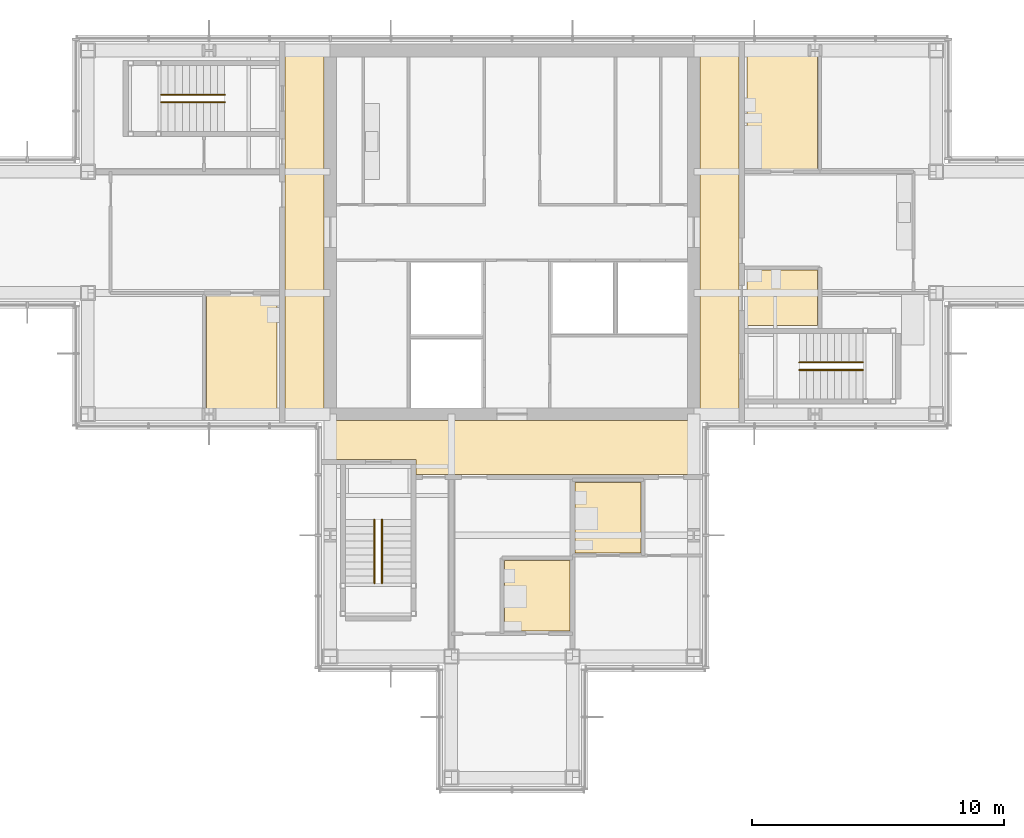
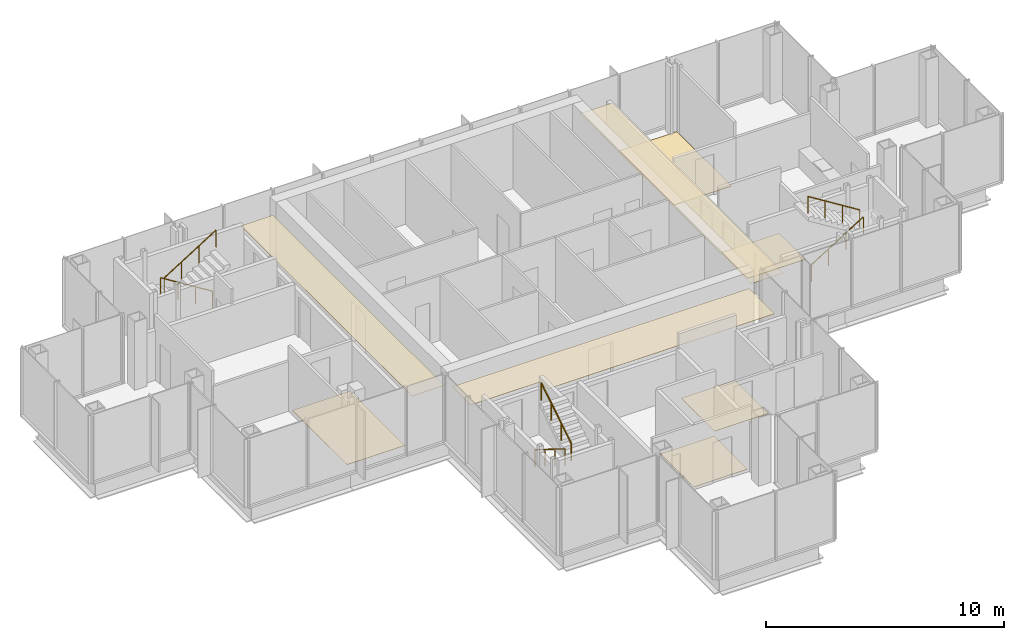
# One storey, part 13 of 15: 8 coverings, 6 railings.
"""IFC4 building model written with IfcOpenShell, lengths in metres."""

from ifc_helpers import new_model, si_unit, direction, frame, origin, origin_2d, place, context, subcontext, project, spatial, polyline, circle, outline, extrude, material, layer, layer_set, type_object, element, save


model = new_model("IFC4")

# Units and contexts
model_context = context("Model", 3, precision=1e-05, world=origin(), true_north=direction((0.0, 1.0)))
body_context = subcontext(model_context, "Body", "Model", "MODEL_VIEW")
ifc_project = project(units=[si_unit("LENGTHUNIT", "METRE"), si_unit("AREAUNIT", "SQUARE_METRE"), si_unit("VOLUMEUNIT", "CUBIC_METRE"), si_unit("PLANEANGLEUNIT", "RADIAN"), si_unit("MASSUNIT", "GRAM", prefix="KILO")], contexts=[model_context])

# Site, building, storey
site_placement = place(None, origin())
site = spatial("IfcSite", under=ifc_project, at=site_placement, CompositionType="ELEMENT")
building_placement = place(site_placement, origin())
building = spatial("IfcBuilding", under=site, at=building_placement, Name="Kvirike Care Tower", CompositionType="ELEMENT")
storey_placement = place(building_placement, frame((0.0, 0.0, 236.5)))
storey = spatial("IfcBuildingStorey", under=building, at=storey_placement, Name="L65", CompositionType="ELEMENT", Elevation=236.5)

# Coverings
ifc_material_1 = material(Name="Perforated metal ceiling tile", Category="aluminium")
ifc_layer_1 = layer(ifc_material_1, 0.014892578125)
ifc_layer_set_1 = layer_set([ifc_layer_1], Name="CORRIDOR CEILING 15")
covering_type_1 = type_object("IfcCoveringType", Name="CORRIDOR CEILING 15", PredefinedType="CEILING", material=ifc_layer_set_1)
covering_1_placement = place(storey_placement, frame((0.0, 0.0, 2.5)))
element("IfcCovering", 1, at=covering_1_placement, inside=storey, type_object=covering_type_1, Name="Corridor ceiling L65", PredefinedType="CEILING", context=body_context, shape_type="SweptSolid", body=[
    extrude(outline(polyline([(12.60009765625, 43.199951171875), (14.14990234375, 43.199951171875), (14.14990234375, 28.800048828125), (12.60009765625, 28.800048828125), (12.60009765625, 43.199951171875)])), origin(), (0.0, 0.0, 1.0), 0.014892578125),
])
covering_2_placement = place(storey_placement, frame((0.0, 0.0, 2.5)))
element("IfcCovering", 2, at=covering_2_placement, inside=storey, type_object=covering_type_1, Name="Corridor ceiling L65", PredefinedType="CEILING", context=body_context, shape_type="SweptSolid", body=[
    extrude(outline(polyline([(14.39990234375, 28.550048828125), (28.800048828125, 28.550048828125), (28.800048828125, 26.39990234375), (17.800048828125, 26.39990234375), (17.800048828125, 27.0), (14.39990234375, 27.0), (14.39990234375, 28.550048828125)])), origin(), (0.0, 0.0, 1.0), 0.014892578125),
])
covering_3_placement = place(storey_placement, frame((0.0, 0.0, 2.5)))
element("IfcCovering", 3, at=covering_3_placement, inside=storey, type_object=covering_type_1, Name="Corridor ceiling L65", PredefinedType="CEILING", context=body_context, shape_type="SweptSolid", body=[
    extrude(outline(polyline([(30.60009765625, 28.800048828125), (29.050048828125, 28.800048828125), (29.050048828125, 43.199951171875), (30.60009765625, 43.199951171875), (30.60009765625, 28.800048828125)])), origin(), (0.0, 0.0, 1.0), 0.014892578125),
])

# Railings
ifc_material_2 = material(Name="Stainless steel handrail", Category="steel")
railing_type = type_object("IfcRailingType", Name="STAIR HANDRAIL 900", PredefinedType="HANDRAIL", material=ifc_material_2)
railing_1_placement = place(storey_placement, frame((10.219970703125, 41.449951171875, 0.175048828125)))
element("IfcRailing", 4, at=railing_1_placement, inside=storey, type_object=railing_type, Name="Stair 1 handrail L65 flight 1", PredefinedType="HANDRAIL", context=body_context, shape_type="SweptSolid", body=[
    extrude(circle(Radius=0.02490234375, at=origin_2d()), frame((0.0, 0.0, 0.875), z_axis=(-0.848007534815, 0.0, 0.529984170421), x_axis=(0.0, -1.0, 0.0)), (0.0, 0.0, 1.0), 2.9716796875),
    extrude(circle(Radius=0.02001953125, at=origin_2d()), origin(), (0.0, 0.0, 1.0), 0.849853515625),
    extrude(circle(Radius=0.02001953125, at=origin_2d()), frame((-0.840087890625, 0.0, 0.52490234375)), (0.0, 0.0, 1.0), 0.849853515625),
    extrude(circle(Radius=0.02001953125, at=origin_2d()), frame((-1.679931640625, 0.0, 1.050048828125)), (0.0, 0.0, 1.0), 0.849853515625),
    extrude(circle(Radius=0.02001953125, at=origin_2d()), frame((-2.52001953125, 0.0, 1.574951171875)), (0.0, 0.0, 1.0), 0.849853515625),
])
for number, where, name in (
    (5, (7.699951171875, 41.14990234375, 1.925048828125), "Stair 1 handrail L65 flight 2"),
    (6, (32.97998046875, 30.550048828125, 0.175048828125), "Stair 2 handrail L65 flight 1"),
):
    element("IfcRailing", number, at=place(storey_placement, frame(where)), inside=storey, type_object=railing_type, Name=name, PredefinedType="HANDRAIL", context=body_context, shape_type="SweptSolid", body=[
        extrude(circle(Radius=0.02490234375, at=origin_2d()), frame((0.0, 0.0, 0.875), z_axis=(0.848007534815, 0.0, 0.529984170421), x_axis=(0.0, 1.0, 0.0)), (0.0, 0.0, 1.0), 2.9716796875),
        extrude(circle(Radius=0.02001953125, at=origin_2d()), origin(), (0.0, 0.0, 1.0), 0.849853515625),
        extrude(circle(Radius=0.02001953125, at=origin_2d()), frame((0.840087890625, 0.0, 0.52490234375)), (0.0, 0.0, 1.0), 0.849853515625),
        extrude(circle(Radius=0.02001953125, at=origin_2d()), frame((1.679931640625, 0.0, 1.050048828125)), (0.0, 0.0, 1.0), 0.849853515625),
        extrude(circle(Radius=0.02001953125, at=origin_2d()), frame((2.52001953125, 0.0, 1.574951171875)), (0.0, 0.0, 1.0), 0.849853515625),
    ])
railing_2_placement = place(storey_placement, frame((35.5, 30.85009765625, 1.925048828125)))
element("IfcRailing", 7, at=railing_2_placement, inside=storey, type_object=railing_type, Name="Stair 2 handrail L65 flight 2", PredefinedType="HANDRAIL", context=body_context, shape_type="SweptSolid", body=[
    extrude(circle(Radius=0.02490234375, at=origin_2d()), frame((0.0, 0.0, 0.875), z_axis=(-0.848007534815, 0.0, 0.529984170421), x_axis=(0.0, -1.0, 0.0)), (0.0, 0.0, 1.0), 2.9716796875),
    extrude(circle(Radius=0.02001953125, at=origin_2d()), origin(), (0.0, 0.0, 1.0), 0.849853515625),
    extrude(circle(Radius=0.02001953125, at=origin_2d()), frame((-0.840087890625, 0.0, 0.52490234375)), (0.0, 0.0, 1.0), 0.849853515625),
    extrude(circle(Radius=0.02001953125, at=origin_2d()), frame((-1.679931640625, 0.0, 1.050048828125)), (0.0, 0.0, 1.0), 0.849853515625),
    extrude(circle(Radius=0.02001953125, at=origin_2d()), frame((-2.52001953125, 0.0, 1.574951171875)), (0.0, 0.0, 1.0), 0.849853515625),
])
railing_3_placement = place(storey_placement, frame((16.14990234375, 24.6201171875, 0.175048828125)))
element("IfcRailing", 8, at=railing_3_placement, inside=storey, type_object=railing_type, Name="Stair 5 handrail L65 flight 1", PredefinedType="HANDRAIL", context=body_context, shape_type="SweptSolid", body=[
    extrude(circle(Radius=0.02490234375, at=origin_2d()), frame((0.0, 0.0, 0.875), z_axis=(0.0, -0.848007534815, 0.529984170421), x_axis=(1.0, 0.0, 0.0)), (0.0, 0.0, 1.0), 2.9716796875),
    extrude(circle(Radius=0.02001953125, at=origin_2d()), origin(), (0.0, 0.0, 1.0), 0.849853515625),
    extrude(circle(Radius=0.02001953125, at=origin_2d()), frame((0.0, -0.840087890625, 0.52490234375)), (0.0, 0.0, 1.0), 0.849853515625),
    extrude(circle(Radius=0.02001953125, at=origin_2d()), frame((0.0, -1.679931640625, 1.050048828125)), (0.0, 0.0, 1.0), 0.849853515625),
    extrude(circle(Radius=0.02001953125, at=origin_2d()), frame((0.0, -2.52001953125, 1.574951171875)), (0.0, 0.0, 1.0), 0.849853515625),
])
railing_4_placement = place(storey_placement, frame((16.449951171875, 22.10009765625, 1.925048828125)))
element("IfcRailing", 9, at=railing_4_placement, inside=storey, type_object=railing_type, Name="Stair 5 handrail L65 flight 2", PredefinedType="HANDRAIL", context=body_context, shape_type="SweptSolid", body=[
    extrude(circle(Radius=0.02490234375, at=origin_2d()), frame((0.0, 0.0, 0.875), z_axis=(0.0, 0.848007534815, 0.529984170421), x_axis=(-1.0, 0.0, 0.0)), (0.0, 0.0, 1.0), 2.9716796875),
    extrude(circle(Radius=0.02001953125, at=origin_2d()), origin(), (0.0, 0.0, 1.0), 0.849853515625),
    extrude(circle(Radius=0.02001953125, at=origin_2d()), frame((0.0, 0.840087890625, 0.52490234375)), (0.0, 0.0, 1.0), 0.849853515625),
    extrude(circle(Radius=0.02001953125, at=origin_2d()), frame((0.0, 1.679931640625, 1.050048828125)), (0.0, 0.0, 1.0), 0.849853515625),
    extrude(circle(Radius=0.02001953125, at=origin_2d()), frame((0.0, 2.52001953125, 1.574951171875)), (0.0, 0.0, 1.0), 0.849853515625),
])

# Coverings
ifc_material_3 = material(Name="Slip-resistant vinyl safety flooring on screed")
ifc_layer_2 = layer(ifc_material_3, 0.02001953125)
ifc_layer_set_2 = layer_set([ifc_layer_2], Name="WET ROOM FLOOR 20")
covering_type_2 = type_object("IfcCoveringType", Name="WET ROOM FLOOR 20", PredefinedType="FLOORING", material=ifc_layer_set_2)
covering_4_placement = place(storey_placement, origin())
element("IfcCovering", 10, at=covering_4_placement, inside=storey, type_object=covering_type_2, Name="Accessible WC floor L65-006", PredefinedType="FLOORING", context=body_context, shape_type="SweptSolid", body=[
    extrude(outline(polyline([(9.5, 33.5), (12.300048828125, 33.5), (12.300048828125, 28.89990234375), (9.5, 28.89990234375), (9.5, 33.5)])), origin(), (0.0, 0.0, 1.0), 0.02001953125),
])
covering_5_placement = place(storey_placement, origin())
element("IfcCovering", 11, at=covering_5_placement, inside=storey, type_object=covering_type_2, Name="En-suite floor L65-012", PredefinedType="FLOORING", context=body_context, shape_type="SweptSolid", body=[
    extrude(outline(polyline([(21.300048828125, 20.199951171875), (21.300048828125, 23.0), (23.89990234375, 23.0), (23.89990234375, 20.199951171875), (21.300048828125, 20.199951171875)])), origin(), (0.0, 0.0, 1.0), 0.02001953125),
])
covering_6_placement = place(storey_placement, origin())
element("IfcCovering", 12, at=covering_6_placement, inside=storey, type_object=covering_type_2, Name="En-suite floor L65-015", PredefinedType="FLOORING", context=body_context, shape_type="SweptSolid", body=[
    extrude(outline(polyline([(24.10009765625, 23.300048828125), (24.10009765625, 26.10009765625), (26.699951171875, 26.10009765625), (26.699951171875, 23.300048828125), (24.10009765625, 23.300048828125)])), origin(), (0.0, 0.0, 1.0), 0.02001953125),
])
covering_7_placement = place(storey_placement, origin())
element("IfcCovering", 13, at=covering_7_placement, inside=storey, type_object=covering_type_2, Name="Accessible WC floor L65-021", PredefinedType="FLOORING", context=body_context, shape_type="SweptSolid", body=[
    extrude(outline(polyline([(33.699951171875, 32.300048828125), (30.89990234375, 32.300048828125), (30.89990234375, 34.5), (33.699951171875, 34.5), (33.699951171875, 32.300048828125)])), origin(), (0.0, 0.0, 1.0), 0.02001953125),
])
covering_8_placement = place(storey_placement, origin())
element("IfcCovering", 14, at=covering_8_placement, inside=storey, type_object=covering_type_2, Name="Bathroom floor L65-022", PredefinedType="FLOORING", context=body_context, shape_type="SweptSolid", body=[
    extrude(outline(polyline([(33.699951171875, 38.5), (30.89990234375, 38.5), (30.89990234375, 43.10009765625), (33.699951171875, 43.10009765625), (33.699951171875, 38.5)])), origin(), (0.0, 0.0, 1.0), 0.02001953125),
])

save(model, "model.ifc")
